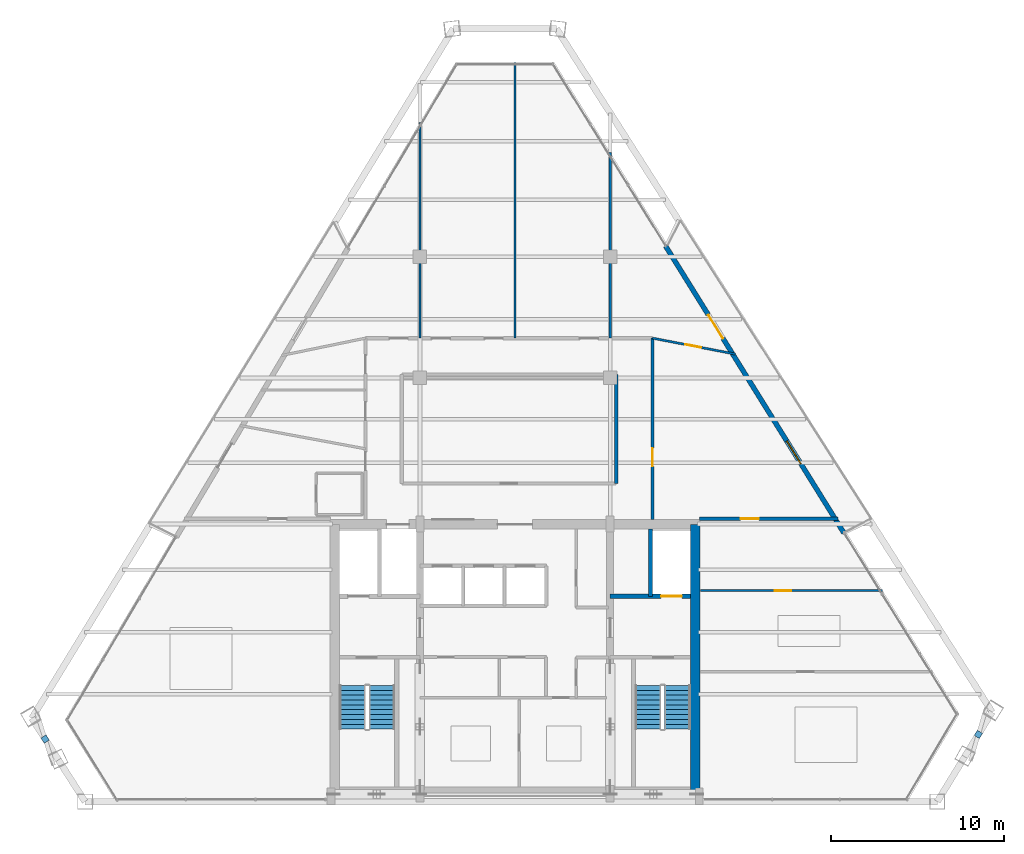
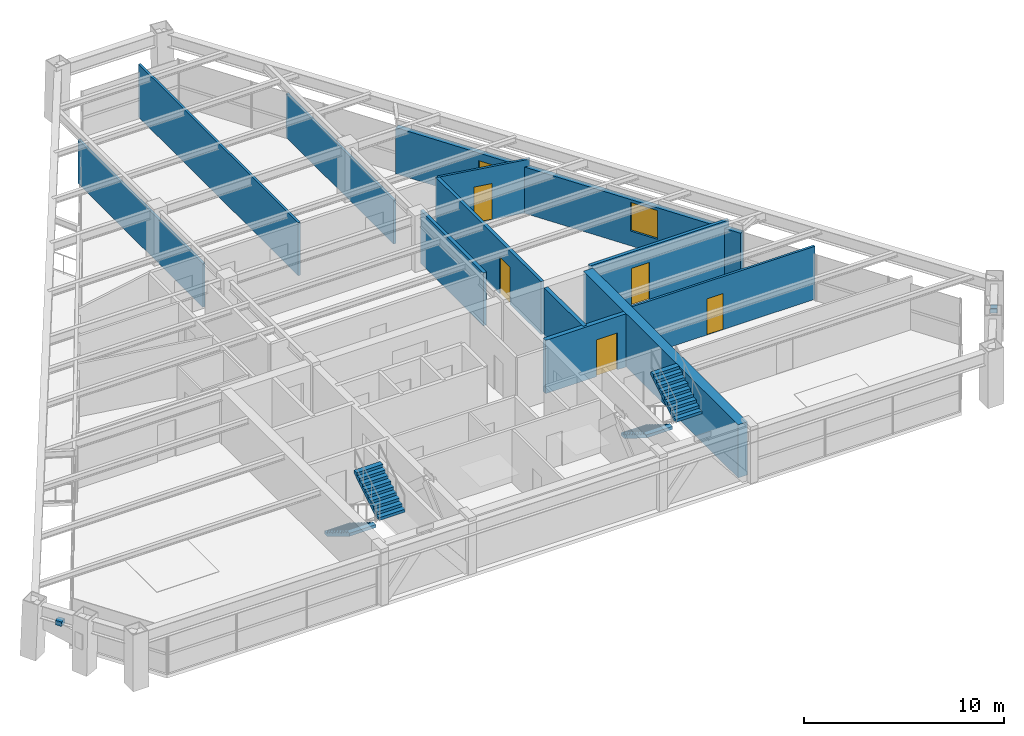
# One storey, part 10 of 12: 12 walls, 6 doors, 4 stair flights, 2 discrete accessories, 1 window, 7 openings, 2 elements without a shape of their own.
"""IFC4 building model written with IfcOpenShell, lengths in metres."""

from ifc_helpers import new_model, si_unit, direction, frame, frame_2d, origin, origin_2d, place, context, subcontext, project, spatial, polyline, rectangle, outline, extrude, source, transform, mapped, material, layer, layer_set, type_object, type_shapes, element, fill, aggregate, save


model = new_model("IFC4")

# Units and contexts
model_context = context("Model", 3, precision=1e-05, world=origin(), true_north=direction((0.0, 1.0)))
body_context = subcontext(model_context, "Body", "Model", "MODEL_VIEW")
ifc_project = project(units=[si_unit("LENGTHUNIT", "METRE"), si_unit("AREAUNIT", "SQUARE_METRE"), si_unit("VOLUMEUNIT", "CUBIC_METRE"), si_unit("PLANEANGLEUNIT", "RADIAN"), si_unit("MASSUNIT", "GRAM", prefix="KILO")], contexts=[model_context])

# Site, building, storey
site_placement = place(None, origin())
site = spatial("IfcSite", under=ifc_project, at=site_placement, CompositionType="ELEMENT")
building_placement = place(site_placement, origin())
building = spatial("IfcBuilding", under=site, at=building_placement, Name="Varnakhor Terracotta Tower", CompositionType="ELEMENT")
storey_placement = place(building_placement, frame((0.0, 0.0, 230.35009765625)))
storey = spatial("IfcBuildingStorey", under=building, at=storey_placement, Name="L59", CompositionType="ELEMENT", Elevation=230.35009765625)

# Walls
ifc_material_1 = material(Name="Concrete C50/60", Category="concrete")
ifc_layer_1 = layer(ifc_material_1, 0.550048828125, Name="Concrete C50/60")
ifc_layer_set_1 = layer_set([ifc_layer_1], Name="Concrete C50/60")
wall_type_1 = type_object("IfcWallType", Name="WAL-CORE-550", PredefinedType="SHEAR", material=ifc_layer_set_1)
wall_1_placement = place(storey_placement, frame((10.425048828125, 0.574951171875, 0.0), z_axis=(0.0, 0.0, 1.0), x_axis=(0.0, 1.0, 0.0)))
element("IfcWall", 1, at=wall_1_placement, inside=storey, type_object=wall_type_1, Name="L59 East Core Shear Wall", PredefinedType="SHEAR", context=body_context, shape_type="SweptSolid", body=[
    extrude(rectangle(XDim=15.449951171875, YDim=0.550048828125, at=frame_2d((7.72509765625, 0.0))), origin(), (0.0, 0.0, 1.0), 3.239990234375),
])
ifc_material_2 = material(Name="Fire-Rated Gypsum Stud Partition", Category="gypsum")
ifc_layer_2 = layer(ifc_material_2, 0.18505859375, Name="Fire-Rated Gypsum Stud Partition")
ifc_layer_set_2 = layer_set([ifc_layer_2], Name="Fire-Rated Gypsum Stud Partition")
wall_type_2 = type_object("IfcWallType", Name="WAL-CORR-185", PredefinedType="PARTITIONING", material=ifc_layer_set_2)
wall_2_placement = place(storey_placement, frame((5.85009765625, 18.39990234375, 0.0), z_axis=(0.0, 0.0, 1.0), x_axis=(0.0, 1.0, 0.0)))
element("IfcWall", 2, at=wall_2_placement, inside=storey, type_object=wall_type_2, Name="L59 Ring Inner East Wall", PredefinedType="PARTITIONING", context=body_context, shape_type="SweptSolid", body=[
    extrude(rectangle(XDim=6.300048828125, YDim=0.18505859375, at=frame_2d((3.14990234375, 0.0))), origin(), (0.0, 0.0, 1.0), 3.23193359375),
])

# Wall, opening, door
wall_3_placement = place(storey_placement, frame((7.949951171875, 16.300048828125, 0.0), z_axis=(0.0, 0.0, 1.0), x_axis=(0.0, 1.0, 0.0)))
wall_3 = element("IfcWall", 3, at=wall_3_placement, inside=storey, type_object=wall_type_2, Name="L59 Hotel East Corridor Wall", PredefinedType="PARTITIONING", context=body_context, shape_type="SweptSolid", body=[
    extrude(rectangle(XDim=10.5, YDim=0.18505859375, at=frame_2d((5.25, 0.0))), origin(), (0.0, 0.0, 1.0), 3.23193359375),
])
opening_1_placement = place(wall_3_placement, frame((3.08837890625, 0.0, 0.0)))
opening_1 = element("IfcOpeningElement", 4, at=opening_1_placement, cuts=wall_3, Name="Opening DR-95", PredefinedType="OPENING", context=body_context, shape_type="SweptSolid", body=[
    extrude(rectangle(XDim=1.050048828125, YDim=2.25, at=frame_2d((0.52490234375, 1.125))), frame((0.0, 0.1025390625, 0.0), z_axis=(0.0, -1.0, 0.0), x_axis=(1.0, 0.0, 0.0)), (0.0, 0.0, 1.0), 0.205078125),
])
ifc_material_3 = material(Name="Solid-Core Timber Tenant/Hotel Entrance Door", Category="wood")
door_type_1 = type_object("IfcDoorType", Name="DR-SUITE-1050X2250", OperationType="NOTDEFINED", PredefinedType="DOOR", material=ifc_material_3)
shared_shape_1 = source(origin(), body_context, "Body", "SweptSolid", [
    extrude(rectangle(XDim=1.050048828125, YDim=2.25, at=frame_2d((0.52490234375, 1.125))), frame((0.0, 0.02490234375, 0.0), z_axis=(0.0, -1.0, 0.0), x_axis=(1.0, 0.0, 0.0)), (0.0, 0.0, 1.0), 0.050048828125),
])
type_shapes(door_type_1, [shared_shape_1])
door_1_placement = place(opening_1_placement, origin())
door_1 = element("IfcDoor", 5, at=door_1_placement, inside=storey, type_object=door_type_1, Name="L59 East Room 1 Entry Door", OperationType="SINGLE_SWING_LEFT", OverallHeight=2.25, OverallWidth=1.050048828125, PredefinedType="DOOR", context=body_context, shape_type="MappedRepresentation", body=[
    mapped(shared_shape_1, transform((0.0, 0.0, 0.0), scale=1.0)),
])
fill(opening_1, door_1)

wall_4_placement = place(storey_placement, frame((10.679931640625, 16.35009765625, 0.0), z_axis=(0.0, 0.0, 1.0), x_axis=(1.0, 0.0, 0.0)))
wall_4 = element("IfcWall", 6, at=wall_4_placement, inside=storey, type_object=wall_type_2, Name="L59 South East Guest Entry Wall", PredefinedType="PARTITIONING", context=body_context, shape_type="SweptSolid", body=[
    extrude(rectangle(XDim=7.986083984375, YDim=0.18505859375, at=frame_2d((3.9931640625, 0.0))), origin(), (0.0, 0.0, 1.0), 3.23193359375),
])
opening_2_placement = place(wall_4_placement, frame((2.3720703125, 0.0, 0.0)))
opening_2 = element("IfcOpeningElement", 7, at=opening_2_placement, cuts=wall_4, Name="Opening DR-95", PredefinedType="OPENING", context=body_context, shape_type="SweptSolid", body=[
    extrude(rectangle(XDim=1.050048828125, YDim=2.25, at=frame_2d((0.52490234375, 1.125))), frame((0.0, 0.1025390625, 0.0), z_axis=(0.0, -1.0, 0.0), x_axis=(1.0, 0.0, 0.0)), (0.0, 0.0, 1.0), 0.205078125),
])
door_2_placement = place(opening_2_placement, origin())
door_2 = element("IfcDoor", 8, at=door_2_placement, inside=storey, type_object=door_type_1, Name="L59 SE Suite Entry Door", OperationType="SINGLE_SWING_RIGHT", OverallHeight=2.25, OverallWidth=1.050048828125, PredefinedType="DOOR", context=body_context, shape_type="MappedRepresentation", body=[
    mapped(shared_shape_1, transform((0.0, 0.0, 0.0), scale=1.0)),
])
fill(opening_2, door_2)

# Wall, openings, door, window
ifc_material_4 = material(Name="Extruded Architectural Terracotta Assembly", Category="masonry")
ifc_layer_3 = layer(ifc_material_4, 0.280029296875, Name="Extruded Architectural Terracotta Assembly")
ifc_layer_set_3 = layer_set([ifc_layer_3], Name="Extruded Architectural Terracotta Assembly")
wall_type_3 = type_object("IfcWallType", Name="WAL-EXT-TERRACOTTA-280", PredefinedType="SOLIDWALL", material=ifc_layer_set_3)
wall_5_placement = place(storey_placement, frame((8.70751953125, 32.12548828125, 0.0), z_axis=(0.0, 0.0, 1.0), x_axis=(0.527896829345, -0.849308505531, 0.0)))
wall_5 = element("IfcWall", 9, at=wall_5_placement, inside=storey, type_object=wall_type_3, Name="L59 E Loggia Insulated Terracotta Wall", PredefinedType="SOLIDWALL", context=body_context, shape_type="SweptSolid", body=[
    extrude(rectangle(XDim=19.52685546875, YDim=0.280029296875, at=frame_2d((9.763427734375, 0.0))), origin(), (0.0, 0.0, 1.0), 2.81982421875),
])
opening_3_placement = place(wall_5_placement, frame((4.686279296875, 0.0, 0.0)))
opening_3 = element("IfcOpeningElement", 10, at=opening_3_placement, cuts=wall_5, Name="Opening DR-62", PredefinedType="OPENING", context=body_context, shape_type="SweptSolid", body=[
    extrude(rectangle(XDim=1.60009765625, YDim=2.35009765625, at=frame_2d((0.800048828125, 1.175048828125))), frame((0.0, 0.14990234375, 0.0), z_axis=(0.0, -1.0, 0.0), x_axis=(1.0, 0.0, 0.0)), (0.0, 0.0, 1.0), 0.300048828125),
])
opening_4_placement = place(wall_5_placement, frame((13.2783203125, 0.0, 0.89990234375)))
opening_4 = element("IfcOpeningElement", 11, at=opening_4_placement, cuts=wall_5, Name="Opening WN-59", PredefinedType="OPENING", context=body_context, shape_type="SweptSolid", body=[
    extrude(rectangle(XDim=1.550048828125, YDim=1.75, at=frame_2d((0.77490234375, 0.875))), frame((0.0, 0.14990234375, 0.0), z_axis=(0.0, -1.0, 0.0), x_axis=(1.0, 0.0, 0.0)), (0.0, 0.0, 1.0), 0.300048828125),
])
ifc_material_5 = material(Name="Thermally Broken Sliding Glass Loggia Door", Category="glass")
door_type_2 = type_object("IfcDoorType", Name="DR-EXT-LOGGIA-1600X2350", OperationType="NOTDEFINED", PredefinedType="DOOR", material=ifc_material_5)
shared_shape_2 = source(origin(), body_context, "Body", "SweptSolid", [
    extrude(rectangle(XDim=1.60009765625, YDim=2.35009765625, at=frame_2d((0.800048828125, 1.175048828125))), frame((0.0, 0.02490234375, 0.0), z_axis=(0.0, -1.0, 0.0), x_axis=(1.0, 0.0, 0.0)), (0.0, 0.0, 1.0), 0.050048828125),
])
type_shapes(door_type_2, [shared_shape_2])
door_3_placement = place(opening_3_placement, origin())
door_3 = element("IfcDoor", 12, at=door_3_placement, inside=storey, type_object=door_type_2, Name="L59 E Recessed Loggia Sliding Door", OperationType="SLIDING_TO_RIGHT", OverallHeight=2.35009765625, OverallWidth=1.60009765625, PredefinedType="DOOR", context=body_context, shape_type="MappedRepresentation", body=[
    mapped(shared_shape_2, transform((0.0, 0.0, 0.0), scale=1.0)),
])
fill(opening_3, door_3)
ifc_material_6 = material(Name="Solar-Control Low-E Insulated Glass Unit", Category="glass")
window_type = type_object("IfcWindowType", Name="WIN-HTL-1500X1950", PartitioningType="SINGLE_PANEL", PredefinedType="WINDOW", material=ifc_material_6)
shared_shape_3 = source(origin(), body_context, "Body", "SweptSolid", [
    extrude(rectangle(XDim=1.550048828125, YDim=1.75, at=frame_2d((0.77490234375, 0.875))), frame((0.0, 0.030029296875, 0.0), z_axis=(0.0, -1.0, 0.0), x_axis=(1.0, 0.0, 0.0)), (0.0, 0.0, 1.0), 0.06005859375),
])
type_shapes(window_type, [shared_shape_3])
window_placement = place(opening_4_placement, origin())
window = element("IfcWindow", 13, at=window_placement, inside=storey, type_object=window_type, Name="L59 E Facet Punched Window", OverallHeight=1.75, OverallWidth=1.550048828125, PartitioningType="SINGLE_PANEL", PredefinedType="WINDOW", context=body_context, shape_type="MappedRepresentation", body=[
    mapped(shared_shape_3, transform((0.0, 0.0, 0.0), scale=1.0)),
])
fill(opening_4, window)

# Wall, opening, door
ifc_material_7 = material(Name="Acoustic Hotel Room Partition", Category="gypsum")
ifc_layer_4 = layer(ifc_material_7, 0.1298828125, Name="Acoustic Hotel Room Partition")
ifc_layer_set_4 = layer_set([ifc_layer_4], Name="Acoustic Hotel Room Partition")
wall_type_4 = type_object("IfcWallType", Name="WAL-PART-130", PredefinedType="PARTITIONING", material=ifc_layer_set_4)
wall_6_placement = place(storey_placement, frame((7.949951171875, 26.800048828125, 0.0), z_axis=(0.0, 0.0, 1.0), x_axis=(0.982004306454, -0.188858524049, 0.0)))
wall_6 = element("IfcWall", 14, at=wall_6_placement, inside=storey, type_object=wall_type_4, Name="L59 North East Suite South Wall", PredefinedType="PARTITIONING", context=body_context, shape_type="SweptSolid", body=[
    extrude(rectangle(XDim=4.88134765625, YDim=0.1298828125, at=frame_2d((2.440673828125, 0.0))), origin(), (0.0, 0.0, 1.0), 3.23193359375),
])
opening_5_placement = place(wall_6_placement, frame((1.926513671875, 0.0, 0.0)))
opening_5 = element("IfcOpeningElement", 15, at=opening_5_placement, cuts=wall_6, Name="Opening DR-94", PredefinedType="OPENING", context=body_context, shape_type="SweptSolid", body=[
    extrude(rectangle(XDim=0.949951171875, YDim=2.199951171875, at=frame_2d((0.47509765625, 1.10009765625))), frame((0.0, 0.074951171875, 0.0), z_axis=(0.0, -1.0, 0.0), x_axis=(1.0, 0.0, 0.0)), (0.0, 0.0, 1.0), 0.14990234375),
])
ifc_material_8 = material(Name="Acoustic Glazed-Vision Timber Office Door", Category="wood")
door_type_3 = type_object("IfcDoorType", Name="DR-OFF-950X2200", OperationType="NOTDEFINED", PredefinedType="DOOR", material=ifc_material_8)
shared_shape_4 = source(origin(), body_context, "Body", "SweptSolid", [
    extrude(rectangle(XDim=0.949951171875, YDim=2.199951171875, at=frame_2d((0.47509765625, 1.10009765625))), frame((0.0, 0.02490234375, 0.0), z_axis=(0.0, -1.0, 0.0), x_axis=(1.0, 0.0, 0.0)), (0.0, 0.0, 1.0), 0.050048828125),
])
type_shapes(door_type_3, [shared_shape_4])
door_4_placement = place(opening_5_placement, origin())
door_4 = element("IfcDoor", 16, at=door_4_placement, inside=storey, type_object=door_type_3, Name="L59 Club Concierge Reception NE Door", OperationType="SINGLE_SWING_LEFT", OverallHeight=2.199951171875, OverallWidth=0.949951171875, PredefinedType="DOOR", context=body_context, shape_type="MappedRepresentation", body=[
    mapped(shared_shape_4, transform((0.0, 0.0, 0.0), scale=1.0)),
])
fill(opening_5, door_4)

# Walls
wall_7_placement = place(storey_placement, frame((-5.5, 26.800048828125, 0.0), z_axis=(0.0, 0.0, 1.0), x_axis=(0.0, 1.0, 0.0)))
element("IfcWall", 17, at=wall_7_placement, inside=storey, type_object=wall_type_4, Name="L59 North West Column Wall", PredefinedType="PARTITIONING", context=body_context, shape_type="SweptSolid", body=[
    extrude(rectangle(XDim=12.460693359375, YDim=0.1298828125, at=frame_2d((6.23046875, 0.0))), origin(), (0.0, 0.0, 1.0), 2.682861328125),
])
wall_8_placement = place(storey_placement, frame((5.5, 26.800048828125, 0.0), z_axis=(0.0, 0.0, 1.0), x_axis=(0.0, 1.0, 0.0)))
element("IfcWall", 18, at=wall_8_placement, inside=storey, type_object=wall_type_4, Name="L59 North East Column Wall", PredefinedType="PARTITIONING", context=body_context, shape_type="SweptSolid", body=[
    extrude(rectangle(XDim=10.731689453125, YDim=0.1298828125, at=frame_2d((5.36572265625, 0.0))), origin(), (0.0, 0.0, 1.0), 2.682861328125),
])
wall_9_placement = place(storey_placement, frame((0.0, 26.800048828125, 0.0), z_axis=(0.0, 0.0, 1.0), x_axis=(0.0, 1.0, 0.0)))
element("IfcWall", 19, at=wall_9_placement, inside=storey, type_object=wall_type_4, Name="L59 North Suite Split 1", PredefinedType="PARTITIONING", context=body_context, shape_type="SweptSolid", body=[
    extrude(rectangle(XDim=15.94287109375, YDim=0.1298828125, at=frame_2d((7.971435546875, 0.0))), origin(), (0.0, 0.0, 1.0), 3.23193359375),
])

# Wall, opening, door
wall_10_placement = place(storey_placement, frame((10.719970703125, 12.199951171875, 0.0), z_axis=(0.0, 0.0, 1.0), x_axis=(1.0, 0.0, 0.0)))
wall_10 = element("IfcWall", 20, at=wall_10_placement, inside=storey, type_object=wall_type_4, Name="L59 SE Key Split 2", PredefinedType="PARTITIONING", context=body_context, shape_type="SweptSolid", body=[
    extrude(rectangle(XDim=10.525634765625, YDim=0.1298828125, at=frame_2d((5.2626953125, 0.0))), origin(), (0.0, 0.0, 1.0), 3.23193359375),
])
opening_6_placement = place(wall_10_placement, frame((4.29541015625, 0.0, 0.0)))
opening_6 = element("IfcOpeningElement", 21, at=opening_6_placement, cuts=wall_10, Name="Opening DR-94", PredefinedType="OPENING", context=body_context, shape_type="SweptSolid", body=[
    extrude(rectangle(XDim=0.949951171875, YDim=2.199951171875, at=frame_2d((0.47509765625, 1.10009765625))), frame((0.0, 0.074951171875, 0.0), z_axis=(0.0, -1.0, 0.0), x_axis=(1.0, 0.0, 0.0)), (0.0, 0.0, 1.0), 0.14990234375),
])
door_5_placement = place(opening_6_placement, origin())
door_5 = element("IfcDoor", 22, at=door_5_placement, inside=storey, type_object=door_type_3, Name="L59 SE Suite Connect Door 2", OperationType="SINGLE_SWING_RIGHT", OverallHeight=2.199951171875, OverallWidth=0.949951171875, PredefinedType="DOOR", context=body_context, shape_type="MappedRepresentation", body=[
    mapped(shared_shape_4, transform((0.0, 0.0, 0.0), scale=1.0)),
])
fill(opening_6, door_5)

# Wall
ifc_material_9 = material(Name="Concrete C40/50", Category="concrete")
ifc_layer_5 = layer(ifc_material_9, 0.219970703125, Name="Concrete C40/50")
ifc_layer_set_5 = layer_set([ifc_layer_5], Name="Concrete C40/50")
wall_type_5 = type_object("IfcWallType", Name="WAL-SHAFT-220", PredefinedType="SOLIDWALL", material=ifc_layer_set_5)
wall_11_placement = place(storey_placement, frame((7.840087890625, 11.8701171875, 0.0), z_axis=(0.0, 0.0, 1.0), x_axis=(0.0, 1.0, 0.0)))
element("IfcWall", 23, at=wall_11_placement, inside=storey, type_object=wall_type_5, Name="L59 Lift FFL-2 and Riser Divider Wall", PredefinedType="SOLIDWALL", context=body_context, shape_type="SweptSolid", body=[
    extrude(rectangle(XDim=3.8798828125, YDim=0.219970703125, at=frame_2d((1.93994140625, 0.0))), origin(), (0.0, 0.0, 1.0), 3.239990234375),
])

# Wall, opening, door
ifc_layer_6 = layer(ifc_material_9, 0.25, Name="Concrete C40/50")
ifc_layer_set_6 = layer_set([ifc_layer_6], Name="Concrete C40/50")
wall_type_6 = type_object("IfcWallType", Name="WAL-SHAFT-250", PredefinedType="SOLIDWALL", material=ifc_layer_set_6)
wall_12_placement = place(storey_placement, frame((10.14990234375, 11.8701171875, 0.0), z_axis=(0.0, 0.0, 1.0), x_axis=(-1.0, 0.0, 0.0)))
wall_12 = element("IfcWall", 24, at=wall_12_placement, inside=storey, type_object=wall_type_6, Name="L59 Lift FFL-2 Shaft Front Wall", PredefinedType="SOLIDWALL", context=body_context, shape_type="SweptSolid", body=[
    extrude(rectangle(XDim=4.64990234375, YDim=0.25, at=frame_2d((2.324951171875, 0.0))), origin(), (0.0, 0.0, 1.0), 3.239990234375),
])
opening_7_placement = place(wall_12_placement, frame((0.5, 0.0, 0.0)))
opening_7 = element("IfcOpeningElement", 25, at=opening_7_placement, cuts=wall_12, Name="Opening LD-02", PredefinedType="OPENING", context=body_context, shape_type="SweptSolid", body=[
    extrude(rectangle(XDim=1.199951171875, YDim=2.25, at=frame_2d((0.60009765625, 1.125))), frame((0.0, 0.135009765625, 0.0), z_axis=(0.0, -1.0, 0.0), x_axis=(1.0, 0.0, 0.0)), (0.0, 0.0, 1.0), 0.27001953125),
])
ifc_material_10 = material(Name="Firefighting Stretcher Sliding Lift Landing Door", Category="steel")
door_type_4 = type_object("IfcDoorType", Name="LD-FFL-1200X2250", OperationType="NOTDEFINED", PredefinedType="DOOR", material=ifc_material_10)
shared_shape_5 = source(origin(), body_context, "Body", "SweptSolid", [
    extrude(rectangle(XDim=1.199951171875, YDim=2.25, at=frame_2d((0.60009765625, 1.125))), frame((0.0, 0.02490234375, 0.0), z_axis=(0.0, -1.0, 0.0), x_axis=(1.0, 0.0, 0.0)), (0.0, 0.0, 1.0), 0.050048828125),
])
type_shapes(door_type_4, [shared_shape_5])
door_6_placement = place(opening_7_placement, origin())
door_6 = element("IfcDoor", 26, at=door_6_placement, inside=storey, type_object=door_type_4, Name="L59 Firefighting Lift FFL-2 Landing Door", OperationType="SLIDING_TO_RIGHT", OverallHeight=2.25, OverallWidth=1.199951171875, PredefinedType="DOOR", context=body_context, shape_type="MappedRepresentation", body=[
    mapped(shared_shape_5, transform((0.0, 0.0, 0.0), scale=1.0)),
])
fill(opening_7, door_6)

# Stair, stair flights
stair_type = type_object("IfcStairType", Name="STR-CORE-HOTEL-1500", PredefinedType="HALF_TURN_STAIR", material=ifc_material_9)
stair_1_placement = place(storey_placement, origin())
stair_1 = element("IfcStair", 27, at=stair_1_placement, inside=storey, type_object=stair_type, Name="L59 Core Exit Stair ST-1", PredefinedType="HALF_TURN_STAIR")
stair_flight_type = type_object("IfcStairFlightType", Name="FLT-HOTEL-1500", PredefinedType="STRAIGHT", material=ifc_material_9)
stair_flight_1_placement = place(storey_placement, frame((-9.39990234375, 6.7099609375, 0.0), z_axis=(0.0, 0.0, 1.0), x_axis=(0.0, -1.0, 0.0)))
stair_flight_1 = element("IfcStairFlight", 28, at=stair_flight_1_placement, type_object=stair_flight_type, Name="ST-1 flight 1", NumberOfRisers=10, NumberOfTreads=9, PredefinedType="STRAIGHT", RiserHeight=0.1725, TreadLength=0.28, context=body_context, shape_type="SweptSolid", body=[
    extrude(outline(polyline([(0.0, 0.0), (0.0, 0.172607421875), (0.280029296875, 0.172607421875), (0.280029296875, 0.344970703125), (0.56005859375, 0.344970703125), (0.56005859375, 0.517578125), (0.840087890625, 0.517578125), (0.840087890625, 0.68994140625), (1.1201171875, 0.68994140625), (1.1201171875, 0.862548828125), (1.39990234375, 0.862548828125), (1.39990234375, 1.034912109375), (1.679931640625, 1.034912109375), (1.679931640625, 1.20751953125), (1.9599609375, 1.20751953125), (1.9599609375, 1.3798828125), (2.239990234375, 1.3798828125), (2.239990234375, 1.552490234375), (2.52001953125, 1.552490234375), (2.52001953125, 1.72509765625), (2.52001953125, 1.36474609375), (0.304931640625, 0.0), (0.0, 0.0)])), frame((0.0, 0.75, 0.0), z_axis=(0.0, -1.0, 0.0), x_axis=(1.0, 0.0, 0.0)), (0.0, 0.0, 1.0), 1.5),
])
stair_flight_2_placement = place(storey_placement, frame((-7.699951171875, 4.18994140625, 1.724853515625), z_axis=(0.0, 0.0, 1.0), x_axis=(0.0, 1.0, 0.0)))
stair_flight_2 = element("IfcStairFlight", 29, at=stair_flight_2_placement, type_object=stair_flight_type, Name="ST-1 flight 2", NumberOfRisers=10, NumberOfTreads=9, PredefinedType="STRAIGHT", RiserHeight=0.1725, TreadLength=0.28, context=body_context, shape_type="SweptSolid", body=[
    extrude(outline(polyline([(0.0, 0.0), (0.0, 0.172607421875), (0.280029296875, 0.172607421875), (0.280029296875, 0.344970703125), (0.56005859375, 0.344970703125), (0.56005859375, 0.517578125), (0.840087890625, 0.517578125), (0.840087890625, 0.68994140625), (1.1201171875, 0.68994140625), (1.1201171875, 0.862548828125), (1.39990234375, 0.862548828125), (1.39990234375, 1.034912109375), (1.679931640625, 1.034912109375), (1.679931640625, 1.20751953125), (1.9599609375, 1.20751953125), (1.9599609375, 1.3798828125), (2.239990234375, 1.3798828125), (2.239990234375, 1.552490234375), (2.52001953125, 1.552490234375), (2.52001953125, 1.72509765625), (2.52001953125, 1.36474609375), (0.304931640625, 0.0), (0.0, 0.0)])), frame((0.0, 0.75, 0.0), z_axis=(0.0, -1.0, 0.0), x_axis=(1.0, 0.0, 0.0)), (0.0, 0.0, 1.0), 1.5),
])
aggregate(stair_1, [stair_flight_1, stair_flight_2])

stair_2_placement = place(storey_placement, origin())
stair_2 = element("IfcStair", 30, at=stair_2_placement, inside=storey, type_object=stair_type, Name="L59 Core Exit Stair ST-2", PredefinedType="HALF_TURN_STAIR")
stair_flight_3_placement = place(storey_placement, frame((7.699951171875, 6.7099609375, 0.0), z_axis=(0.0, 0.0, 1.0), x_axis=(0.0, -1.0, 0.0)))
stair_flight_3 = element("IfcStairFlight", 31, at=stair_flight_3_placement, type_object=stair_flight_type, Name="ST-2 flight 1", NumberOfRisers=10, NumberOfTreads=9, PredefinedType="STRAIGHT", RiserHeight=0.1725, TreadLength=0.28, context=body_context, shape_type="SweptSolid", body=[
    extrude(outline(polyline([(0.0, 0.0), (0.0, 0.172607421875), (0.280029296875, 0.172607421875), (0.280029296875, 0.344970703125), (0.56005859375, 0.344970703125), (0.56005859375, 0.517578125), (0.840087890625, 0.517578125), (0.840087890625, 0.68994140625), (1.1201171875, 0.68994140625), (1.1201171875, 0.862548828125), (1.39990234375, 0.862548828125), (1.39990234375, 1.034912109375), (1.679931640625, 1.034912109375), (1.679931640625, 1.20751953125), (1.9599609375, 1.20751953125), (1.9599609375, 1.3798828125), (2.239990234375, 1.3798828125), (2.239990234375, 1.552490234375), (2.52001953125, 1.552490234375), (2.52001953125, 1.72509765625), (2.52001953125, 1.36474609375), (0.304931640625, 0.0), (0.0, 0.0)])), frame((0.0, 0.75, 0.0), z_axis=(0.0, -1.0, 0.0), x_axis=(1.0, 0.0, 0.0)), (0.0, 0.0, 1.0), 1.5),
])
stair_flight_4_placement = place(storey_placement, frame((9.39990234375, 4.18994140625, 1.724853515625), z_axis=(0.0, 0.0, 1.0), x_axis=(0.0, 1.0, 0.0)))
stair_flight_4 = element("IfcStairFlight", 32, at=stair_flight_4_placement, type_object=stair_flight_type, Name="ST-2 flight 2", NumberOfRisers=10, NumberOfTreads=9, PredefinedType="STRAIGHT", RiserHeight=0.1725, TreadLength=0.28, context=body_context, shape_type="SweptSolid", body=[
    extrude(outline(polyline([(0.0, 0.0), (0.0, 0.172607421875), (0.280029296875, 0.172607421875), (0.280029296875, 0.344970703125), (0.56005859375, 0.344970703125), (0.56005859375, 0.517578125), (0.840087890625, 0.517578125), (0.840087890625, 0.68994140625), (1.1201171875, 0.68994140625), (1.1201171875, 0.862548828125), (1.39990234375, 0.862548828125), (1.39990234375, 1.034912109375), (1.679931640625, 1.034912109375), (1.679931640625, 1.20751953125), (1.9599609375, 1.20751953125), (1.9599609375, 1.3798828125), (2.239990234375, 1.3798828125), (2.239990234375, 1.552490234375), (2.52001953125, 1.552490234375), (2.52001953125, 1.72509765625), (2.52001953125, 1.36474609375), (0.304931640625, 0.0), (0.0, 0.0)])), frame((0.0, 0.75, 0.0), z_axis=(0.0, -1.0, 0.0), x_axis=(1.0, 0.0, 0.0)), (0.0, 0.0, 1.0), 1.5),
])
aggregate(stair_2, [stair_flight_3, stair_flight_4])

# Discrete accessories
ifc_material_11 = material(Name="Stainless Steel Fixing Bracket", Category="steel")
discrete_accessory_type = type_object("IfcDiscreteAccessoryType", Name="BRACKET-TERRACOTTA-SCREEN", PredefinedType="BRACKET", material=ifc_material_11)
shared_shape_6 = source(origin(), body_context, "Body", "SweptSolid", [
    extrude(rectangle(XDim=0.35009765625, YDim=0.35009765625, at=origin_2d()), origin(), (0.0, 0.0, 1.0), 0.280029296875),
])
type_shapes(discrete_accessory_type, [shared_shape_6])
for number, where, z_axis, x_axis, name in (
    (33, (26.797607421875, 3.882568359375, 2.3369140625), (0.0, 0.0, 1.0), (0.521501155364, 0.853250575713, 0.0), "L59 E Screen Fixing Bracket"),
    (34, (-27.176513671875, 3.613037109375, 2.3369140625), (0.0, 0.0, 1.0), (0.537549823972, -0.843231988688, 0.0), "L59 W Screen Fixing Bracket"),
):
    element("IfcDiscreteAccessory", number, at=place(storey_placement, frame(where, z_axis=z_axis, x_axis=x_axis)), inside=storey, type_object=discrete_accessory_type, Name=name, PredefinedType="BRACKET", context=body_context, shape_type="MappedRepresentation", body=[
        mapped(shared_shape_6, transform((0.0, 0.0, 0.0), scale=1.0)),
    ])

save(model, "model.ifc")
